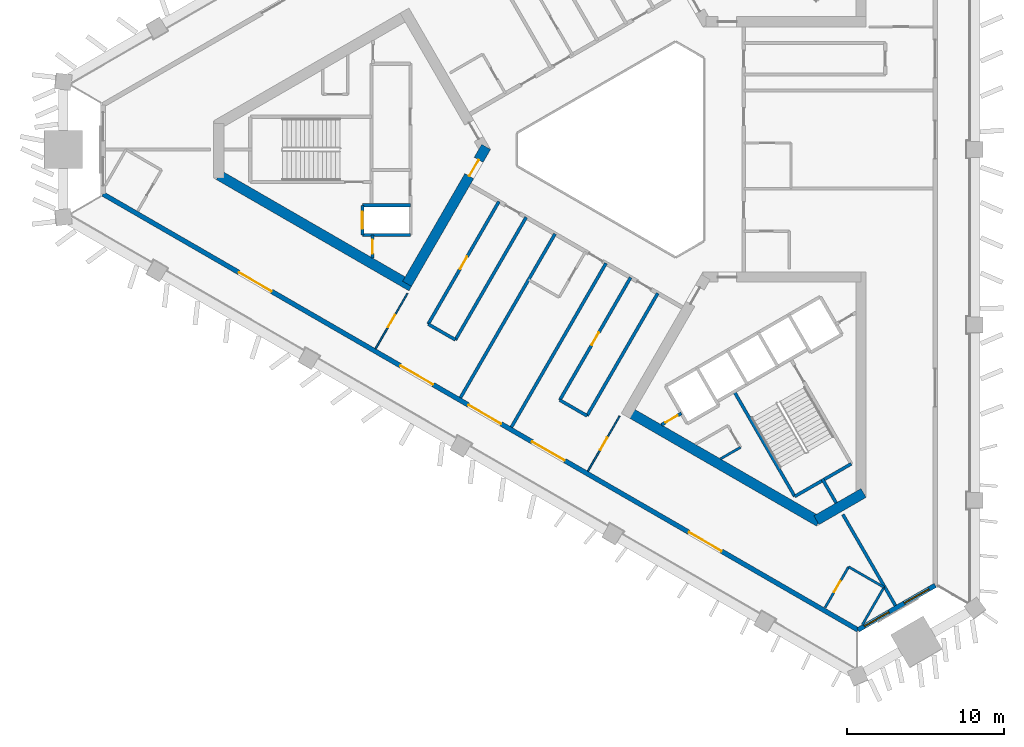
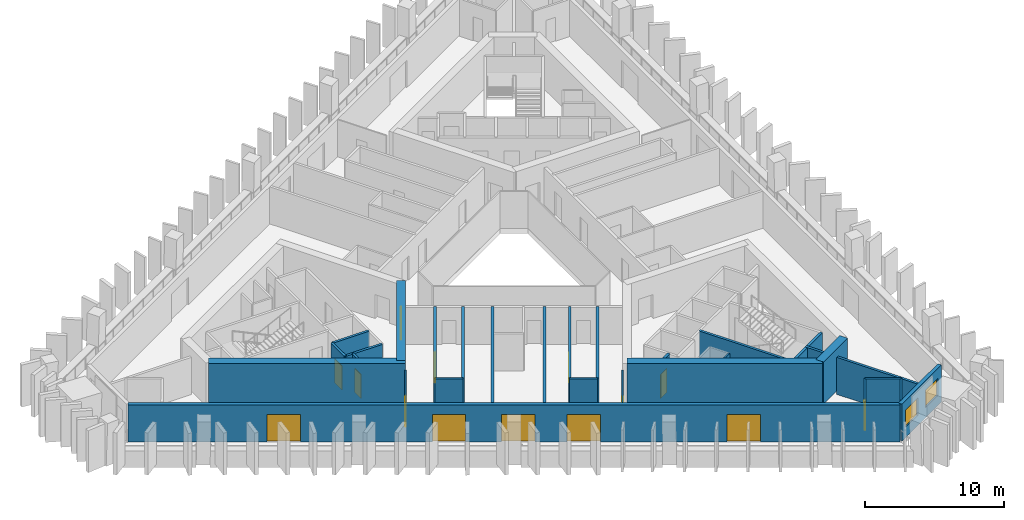
# One storey, part 2 of 10: 29 walls, 14 doors, 2 windows, 16 openings.
"""IFC4 building model written with IfcOpenShell, lengths in metres."""

from ifc_helpers import new_model, si_unit, direction, frame, frame_2d, origin, place, context, subcontext, project, spatial, rectangle, extrude, material, layer, layer_set, type_object, element, fill, save


model = new_model("IFC4")

# Units and contexts
model_context = context("Model", 3, precision=1e-05, world=origin(), true_north=direction((0.0, 1.0)))
body_context = subcontext(model_context, "Body", "Model", "MODEL_VIEW")
ifc_project = project(units=[si_unit("LENGTHUNIT", "METRE"), si_unit("AREAUNIT", "SQUARE_METRE"), si_unit("VOLUMEUNIT", "CUBIC_METRE"), si_unit("PLANEANGLEUNIT", "RADIAN"), si_unit("MASSUNIT", "GRAM", prefix="KILO")], contexts=[model_context])

# Site, building, storey
site_placement = place(None, origin())
site = spatial("IfcSite", under=ifc_project, at=site_placement, CompositionType="ELEMENT")
building_placement = place(site_placement, origin())
building = spatial("IfcBuilding", under=site, at=building_placement, Name="Jabali Bay Hotel Tower and Convention Centre", CompositionType="ELEMENT")
storey_placement = place(building_placement, frame((0.0, 0.0, 140.10009765625)))
storey = spatial("IfcBuildingStorey", under=building, at=storey_placement, Name="L34", CompositionType="ELEMENT", Elevation=140.10009765625)

# Wall, opening, door
ifc_material_1 = material(Name="Concrete C40", Category="concrete")
ifc_layer_1 = layer(ifc_material_1, 0.199951171875)
ifc_layer_set_1 = layer_set([ifc_layer_1], Name="Concrete C40")
wall_type_1 = type_object("IfcWallType", Name="Core partition wall 200", PredefinedType="PARTITIONING", material=ifc_layer_set_1)
wall_1_placement = place(storey_placement, frame((58.5, 74.550048828125, 0.0), z_axis=(0.0, 0.0, 1.0), x_axis=(0.0, -1.0, 0.0)))
wall_1 = element("IfcWall", 1, at=wall_1_placement, inside=storey, type_object=wall_type_1, Name="Core wall 0.10 L34", PredefinedType="PARTITIONING", context=body_context, shape_type="SweptSolid", body=[
    extrude(rectangle(XDim=1.455078125, YDim=0.199951171875, at=frame_2d((0.7275390625, 0.0))), origin(), (0.0, 0.0, 1.0), 3.25),
])
opening_1_placement = place(wall_1_placement, frame((0.277587890625, 0.0, 0.0)))
opening_1 = element("IfcOpeningElement", 2, at=opening_1_placement, cuts=wall_1, Name="Opening D746", PredefinedType="OPENING", context=body_context, shape_type="SweptSolid", body=[
    extrude(rectangle(XDim=0.89990234375, YDim=2.10009765625, at=frame_2d((0.449951171875, 1.050048828125))), frame((0.0, 0.1103515625, 0.0), z_axis=(0.0, -1.0, 0.0), x_axis=(1.0, 0.0, 0.0)), (0.0, 0.0, 1.0), 0.220947265625),
])
ifc_material_2 = material(Name="Fire-rated steel door", Category="steel")
door_type_1 = type_object("IfcDoorType", Name="Vestibule fire door 900 x 2100", OperationType="NOTDEFINED", PredefinedType="NOTDEFINED", material=ifc_material_2)
door_1_placement = place(opening_1_placement, origin())
door_1 = element("IfcDoor", 3, at=door_1_placement, inside=storey, type_object=door_type_1, Name="Vestibule fire door D746", OperationType="SINGLE_SWING_LEFT", OverallHeight=2.10009765625, OverallWidth=0.89990234375, PredefinedType="NOTDEFINED", context=body_context, shape_type="SweptSolid", body=[
    extrude(rectangle(XDim=0.89990234375, YDim=2.10009765625, at=frame_2d((0.449951171875, 1.050048828125))), frame((0.0, 0.02490234375, 0.0), z_axis=(0.0, -1.0, 0.0), x_axis=(1.0, 0.0, 0.0)), (0.0, 0.0, 1.0), 0.050048828125),
])
fill(opening_1, door_1)

# Wall
wall_2_placement = place(storey_placement, frame((87.090087890625, 59.0595703125, 0.0), z_axis=(0.0, 0.0, 1.0), x_axis=(0.499944938281, -0.866057191349, 0.0)))
element("IfcWall", 4, at=wall_2_placement, inside=storey, type_object=wall_type_1, Name="Core wall 2.5 L34", PredefinedType="PARTITIONING", context=body_context, shape_type="SweptSolid", body=[
    extrude(rectangle(XDim=1.773193359375, YDim=0.199951171875, at=frame_2d((0.88671875, 0.0))), origin(), (0.0, 0.0, 1.0), 3.25),
])

# Wall, opening, door
wall_3_placement = place(storey_placement, frame((76.869873046875, 62.489013671875, 0.0), z_axis=(0.0, 0.0, 1.0), x_axis=(0.866054810376, 0.49994906283, 0.0)))
wall_3 = element("IfcWall", 5, at=wall_3_placement, inside=storey, type_object=wall_type_1, Name="Core wall 2.11 L34", PredefinedType="PARTITIONING", context=body_context, shape_type="SweptSolid", body=[
    extrude(rectangle(XDim=1.461181640625, YDim=0.199951171875, at=frame_2d((0.73046875, 0.0))), origin(), (0.0, 0.0, 1.0), 3.25),
])
opening_2_placement = place(wall_3_placement, frame((0.280517578125, 0.0, 0.0)))
opening_2 = element("IfcOpeningElement", 6, at=opening_2_placement, cuts=wall_3, Name="Opening D759", PredefinedType="OPENING", context=body_context, shape_type="SweptSolid", body=[
    extrude(rectangle(XDim=0.89990234375, YDim=2.10009765625, at=frame_2d((0.449951171875, 1.050048828125))), frame((0.0, 0.1103515625, 0.0), z_axis=(0.0, -1.0, 0.0), x_axis=(1.0, 0.0, 0.0)), (0.0, 0.0, 1.0), 0.220947265625),
])
door_2_placement = place(opening_2_placement, origin())
door_2 = element("IfcDoor", 7, at=door_2_placement, inside=storey, type_object=door_type_1, Name="Vestibule fire door D759", OperationType="SINGLE_SWING_LEFT", OverallHeight=2.10009765625, OverallWidth=0.89990234375, PredefinedType="NOTDEFINED", context=body_context, shape_type="SweptSolid", body=[
    extrude(rectangle(XDim=0.89990234375, YDim=2.10009765625, at=frame_2d((0.449951171875, 1.050048828125))), frame((0.0, 0.02490234375, 0.0), z_axis=(0.0, -1.0, 0.0), x_axis=(1.0, 0.0, 0.0)), (0.0, 0.0, 1.0), 0.050048828125),
])
fill(opening_2, door_2)

# Walls
ifc_material_3 = material(Name="Fire-rated board partition")
ifc_layer_2 = layer(ifc_material_3, 0.14990234375)
ifc_layer_set_2 = layer_set([ifc_layer_2], Name="Fire-rated board partition")
wall_type_2 = type_object("IfcWallType", Name="Core room partition 150", PredefinedType="PARTITIONING", material=ifc_layer_set_2)
wall_4_placement = place(storey_placement, frame((80.619873046875, 60.323974609375, 0.0), z_axis=(0.0, 0.0, 1.0), x_axis=(0.866069507536, 0.49992360228, 0.0)))
element("IfcWall", 8, at=wall_4_placement, inside=storey, type_object=wall_type_2, Name="Core wall 2.17 L34", PredefinedType="PARTITIONING", context=body_context, shape_type="SweptSolid", body=[
    extrude(rectangle(XDim=1.470947265625, YDim=0.14990234375, at=frame_2d((0.7353515625, 0.0))), origin(), (0.0, 0.0, 1.0), 3.25),
])
ifc_layer_3 = layer(ifc_material_1, 0.199951171875)
ifc_layer_set_3 = layer_set([ifc_layer_3], Name="Concrete C40")
wall_type_3 = type_object("IfcWallType", Name="Core stair wall 200", PredefinedType="SOLIDWALL", material=ifc_layer_set_3)
for number, where, z_axis, x_axis, name in (
    (9, (60.89990234375, 76.449951171875, 0.0), (0.0, 0.0, 1.0), (-1.0, 0.0, 0.0), "Core wall 0.6 L34"),
    (10, (60.89990234375, 74.550048828125, 0.0), (0.0, 0.0, 1.0), (-1.0, 0.0, 0.0), "Core wall 0.7 L34"),
):
    element("IfcWall", number, at=place(storey_placement, frame(where, z_axis=z_axis, x_axis=x_axis)), inside=storey, type_object=wall_type_3, Name=name, PredefinedType="SOLIDWALL", context=body_context, shape_type="SweptSolid", body=[
        extrude(rectangle(XDim=3.0498046875, YDim=0.199951171875, at=frame_2d((1.52490234375, 0.0))), origin(), (0.0, 0.0, 1.0), 3.25),
    ])

# Wall, opening, door
wall_5_placement = place(storey_placement, frame((57.85009765625, 76.449951171875, 0.0), z_axis=(0.0, 0.0, 1.0), x_axis=(0.0, -1.0, 0.0)))
wall_5 = element("IfcWall", 11, at=wall_5_placement, inside=storey, type_object=wall_type_3, Name="Core wall 0.12 L34", PredefinedType="SOLIDWALL", context=body_context, shape_type="SweptSolid", body=[
    extrude(rectangle(XDim=1.89990234375, YDim=0.199951171875, at=frame_2d((0.949951171875, 0.0))), origin(), (0.0, 0.0, 1.0), 3.25),
])
opening_3_placement = place(wall_5_placement, frame((0.39990234375, 0.0, 0.0)))
opening_3 = element("IfcOpeningElement", 12, at=opening_3_placement, cuts=wall_5, Name="Opening LD5-L34", PredefinedType="OPENING", context=body_context, shape_type="SweptSolid", body=[
    extrude(rectangle(XDim=1.10009765625, YDim=2.10009765625, at=frame_2d((0.550048828125, 1.050048828125))), frame((0.0, 0.1103515625, 0.0), z_axis=(0.0, -1.0, 0.0), x_axis=(1.0, 0.0, 0.0)), (0.0, 0.0, 1.0), 0.220947265625),
])
ifc_material_4 = material(Name="Stainless steel landing door", Category="steel")
door_type_2 = type_object("IfcDoorType", Name="Landing door 1100 x 2100", OperationType="NOTDEFINED", PredefinedType="NOTDEFINED", material=ifc_material_4)
door_3_placement = place(opening_3_placement, origin())
door_3 = element("IfcDoor", 13, at=door_3_placement, inside=storey, type_object=door_type_2, Name="Landing doors LD5-L34", OperationType="SLIDING_TO_RIGHT", OverallHeight=2.10009765625, OverallWidth=1.10009765625, PredefinedType="NOTDEFINED", context=body_context, shape_type="SweptSolid", body=[
    extrude(rectangle(XDim=1.10009765625, YDim=2.10009765625, at=frame_2d((0.550048828125, 1.050048828125))), frame((0.0, 0.02490234375, 0.0), z_axis=(0.0, -1.0, 0.0), x_axis=(1.0, 0.0, 0.0)), (0.0, 0.0, 1.0), 0.050048828125),
])
fill(opening_3, door_3)

# Walls
wall_6_placement = place(storey_placement, frame((81.492919921875, 64.603759765625, 0.0), z_axis=(0.0, 0.0, 1.0), x_axis=(0.500006057782, -0.866021906294, 0.0)))
element("IfcWall", 14, at=wall_6_placement, inside=storey, type_object=wall_type_3, Name="Core wall 2.3 L34", PredefinedType="SOLIDWALL", context=body_context, shape_type="SweptSolid", body=[
    extrude(rectangle(XDim=7.7001953125, YDim=0.199951171875, at=frame_2d((3.85009765625, 0.0))), origin(), (0.0, 0.0, 1.0), 3.25),
])
wall_7_placement = place(storey_placement, frame((85.343017578125, 57.935302734375, 0.0), z_axis=(0.0, 0.0, 1.0), x_axis=(0.866004344652, 0.500036473714, 0.0)))
element("IfcWall", 15, at=wall_7_placement, inside=storey, type_object=wall_type_3, Name="Core wall 2.18 L34", PredefinedType="SOLIDWALL", context=body_context, shape_type="SweptSolid", body=[
    extrude(rectangle(XDim=4.150146484375, YDim=0.199951171875, at=frame_2d((2.0751953125, 0.0))), origin(), (0.0, 0.0, 1.0), 3.25),
])
ifc_material_5 = material(Name="Concrete C60", Category="concrete")
ifc_layer_4 = layer(ifc_material_5, 0.64990234375)
ifc_layer_set_4 = layer_set([ifc_layer_4], Name="Concrete C60")
wall_type_4 = type_object("IfcWallType", Name="Core wall 650", PredefinedType="SHEAR", material=ifc_layer_set_4)
wall_8_placement = place(storey_placement, frame((48.721923828125, 78.364990234375, 0.0), z_axis=(0.0, 0.0, 1.0), x_axis=(0.866020036431, -0.500009296414, 0.0)))
element("IfcWall", 16, at=wall_8_placement, inside=storey, type_object=wall_type_4, Name="Core wall 1.4 L34", PredefinedType="SHEAR", context=body_context, shape_type="SweptSolid", body=[
    extrude(rectangle(XDim=14.145751953125, YDim=0.64990234375, at=frame_2d((7.07275390625, 0.0))), origin(), (0.0, 0.0, 1.0), 3.699951171875),
])

# Wall, opening, door
wall_9_placement = place(storey_placement, frame((60.691162109375, 71.45458984375, 0.0), z_axis=(0.0, 0.0, 1.0), x_axis=(0.499983075189, 0.866035175108, 0.0)))
wall_9 = element("IfcWall", 17, at=wall_9_placement, inside=storey, type_object=wall_type_4, Name="Core wall 1.5 L34", PredefinedType="SHEAR", context=body_context, shape_type="SweptSolid", body=[
    extrude(rectangle(XDim=10.054931640625, YDim=0.64990234375, at=frame_2d((5.02734375, 0.0))), origin(), (0.0, 0.0, 1.0), 3.699951171875),
])
opening_4_placement = place(wall_9_placement, frame((7.905029296875, 0.0, 0.0)))
opening_4 = element("IfcOpeningElement", 18, at=opening_4_placement, cuts=wall_9, Name="Opening D743", PredefinedType="OPENING", context=body_context, shape_type="SweptSolid", body=[
    extrude(rectangle(XDim=1.199951171875, YDim=2.10009765625, at=frame_2d((0.60009765625, 1.050048828125))), frame((0.0, 0.33544921875, 0.0), z_axis=(0.0, -1.0, 0.0), x_axis=(1.0, 0.0, 0.0)), (0.0, 0.0, 1.0), 0.6708984375),
])
door_type_3 = type_object("IfcDoorType", Name="Corridor end fire door 1200 x 2100", OperationType="NOTDEFINED", PredefinedType="NOTDEFINED", material=ifc_material_2)
door_4_placement = place(opening_4_placement, origin())
door_4 = element("IfcDoor", 19, at=door_4_placement, inside=storey, type_object=door_type_3, Name="Corridor end fire door D743", OperationType="SINGLE_SWING_LEFT", OverallHeight=2.10009765625, OverallWidth=1.199951171875, PredefinedType="NOTDEFINED", context=body_context, shape_type="SweptSolid", body=[
    extrude(rectangle(XDim=1.199951171875, YDim=2.10009765625, at=frame_2d((0.60009765625, 1.050048828125))), frame((0.0, 0.02490234375, 0.0), z_axis=(0.0, -1.0, 0.0), x_axis=(1.0, 0.0, 0.0)), (0.0, 0.0, 1.0), 0.050048828125),
])
fill(opening_4, door_4)

# Walls
wall_10_placement = place(storey_placement, frame((74.75390625, 63.33544921875, 0.0), z_axis=(0.0, 0.0, 1.0), x_axis=(0.866026250715, -0.49999853307, 0.0)))
element("IfcWall", 20, at=wall_10_placement, inside=storey, type_object=wall_type_4, Name="Core wall 3.2 L34", PredefinedType="SHEAR", context=body_context, shape_type="SweptSolid", body=[
    extrude(rectangle(XDim=14.00830078125, YDim=0.64990234375, at=frame_2d((7.004150390625, 0.0))), origin(), (0.0, 0.0, 1.0), 3.699951171875),
])
wall_11_placement = place(storey_placement, frame((86.72314453125, 56.425048828125, 0.0), z_axis=(0.0, 0.0, 1.0), x_axis=(0.866031550877, 0.499989352773, 0.0)))
element("IfcWall", 21, at=wall_11_placement, inside=storey, type_object=wall_type_4, Name="Core wall 3.3 L34", PredefinedType="SHEAR", context=body_context, shape_type="SweptSolid", body=[
    extrude(rectangle(XDim=3.45751953125, YDim=0.64990234375, at=frame_2d((1.728759765625, 0.0))), origin(), (0.0, 0.0, 1.0), 3.699951171875),
])

# Wall, openings, windows
ifc_layer_5 = layer(ifc_material_1, 0.300048828125)
ifc_layer_set_5 = layer_set([ifc_layer_5], Name="Concrete C40")
wall_type_5 = type_object("IfcWallType", Name="External wall 300", PredefinedType="SOLIDWALL", material=ifc_layer_set_5)
wall_12_placement = place(storey_placement, frame((94.277099609375, 52.28271484375, 0.0), z_axis=(0.0, 0.0, 1.0), x_axis=(-0.866019999656, -0.500009360108, 0.0)))
wall_12 = element("IfcWall", 22, at=wall_12_placement, inside=storey, type_object=wall_type_5, Name="External wall south-east chamfer L34", PredefinedType="SOLIDWALL", context=body_context, shape_type="SweptSolid", body=[
    extrude(rectangle(XDim=5.671875, YDim=0.300048828125, at=frame_2d((2.8359375, 0.0))), origin(), (0.0, 0.0, 1.0), 3.25),
])
opening_5_placement = place(wall_12_placement, frame((3.3955078125, 0.0, 0.89990234375)))
opening_5 = element("IfcOpeningElement", 23, at=opening_5_placement, cuts=wall_12, Name="Opening W1", PredefinedType="OPENING", context=body_context, shape_type="SweptSolid", body=[
    extrude(rectangle(XDim=1.800048828125, YDim=1.5, at=frame_2d((0.89990234375, 0.75))), frame((0.0, 0.16064453125, 0.0), z_axis=(0.0, -1.0, 0.0), x_axis=(1.0, 0.0, 0.0)), (0.0, 0.0, 1.0), 0.321044921875),
])
opening_6_placement = place(wall_12_placement, frame((0.47509765625, 0.0, 0.89990234375)))
opening_6 = element("IfcOpeningElement", 24, at=opening_6_placement, cuts=wall_12, Name="Opening W1", PredefinedType="OPENING", context=body_context, shape_type="SweptSolid", body=[
    extrude(rectangle(XDim=1.800048828125, YDim=1.5, at=frame_2d((0.89990234375, 0.75))), frame((0.0, 0.16064453125, 0.0), z_axis=(0.0, -1.0, 0.0), x_axis=(1.0, 0.0, 0.0)), (0.0, 0.0, 1.0), 0.321044921875),
])
ifc_material_6 = material(Name="Glass", Category="glass")
window_type = type_object("IfcWindowType", Name="Window 1800 x 1500", PartitioningType="SINGLE_PANEL", PredefinedType="WINDOW", material=ifc_material_6)
window_1_placement = place(opening_5_placement, origin())
window_1 = element("IfcWindow", 25, at=window_1_placement, inside=storey, type_object=window_type, Name="Window 3412", OverallHeight=1.5, OverallWidth=1.800048828125, PartitioningType="SINGLE_PANEL", PredefinedType="WINDOW", context=body_context, shape_type="SweptSolid", body=[
    extrude(rectangle(XDim=1.800048828125, YDim=1.5, at=frame_2d((0.89990234375, 0.75))), frame((0.0, 0.030029296875, 0.0), z_axis=(0.0, -1.0, 0.0), x_axis=(1.0, 0.0, 0.0)), (0.0, 0.0, 1.0), 0.06005859375),
])
fill(opening_5, window_1)
window_2_placement = place(opening_6_placement, origin())
window_2 = element("IfcWindow", 26, at=window_2_placement, inside=storey, type_object=window_type, Name="Window 3401", OverallHeight=1.5, OverallWidth=1.800048828125, PartitioningType="SINGLE_PANEL", PredefinedType="WINDOW", context=body_context, shape_type="SweptSolid", body=[
    extrude(rectangle(XDim=1.800048828125, YDim=1.5, at=frame_2d((0.89990234375, 0.75))), frame((0.0, 0.030029296875, 0.0), z_axis=(0.0, -1.0, 0.0), x_axis=(1.0, 0.0, 0.0)), (0.0, 0.0, 1.0), 0.06005859375),
])
fill(opening_6, window_2)

# Wall, openings, doors
wall_13_placement = place(storey_placement, frame((89.365234375, 49.44677734375, 0.0), z_axis=(0.0, 0.0, 1.0), x_axis=(-0.866024602029, 0.500001388679, 0.0)))
wall_13 = element("IfcWall", 27, at=wall_13_placement, inside=storey, type_object=wall_type_5, Name="External wall south-west face L34", PredefinedType="SOLIDWALL", context=body_context, shape_type="SweptSolid", body=[
    extrude(rectangle(XDim=55.434326171875, YDim=0.300048828125, at=frame_2d((27.71728515625, 0.0))), origin(), (0.0, 0.0, 1.0), 3.25),
])
opening_7_placement = place(wall_13_placement, frame((31.19384765625, 0.0, 0.0)))
opening_7 = element("IfcOpeningElement", 28, at=opening_7_placement, cuts=wall_13, Name="Opening SD1", PredefinedType="OPENING", context=body_context, shape_type="SweptSolid", body=[
    extrude(rectangle(XDim=2.39990234375, YDim=2.39990234375, at=frame_2d((1.199951171875, 1.199951171875))), frame((0.0, 0.16064453125, 0.0), z_axis=(0.0, -1.0, 0.0), x_axis=(1.0, 0.0, 0.0)), (0.0, 0.0, 1.0), 0.321044921875),
])
opening_8_placement = place(wall_13_placement, frame((43.055908203125, 0.0, 0.0)))
opening_8 = element("IfcOpeningElement", 29, at=opening_8_placement, cuts=wall_13, Name="Opening SD1", PredefinedType="OPENING", context=body_context, shape_type="SweptSolid", body=[
    extrude(rectangle(XDim=2.39990234375, YDim=2.39990234375, at=frame_2d((1.199951171875, 1.199951171875))), frame((0.0, 0.16064453125, 0.0), z_axis=(0.0, -1.0, 0.0), x_axis=(1.0, 0.0, 0.0)), (0.0, 0.0, 1.0), 0.321044921875),
])
opening_9_placement = place(wall_13_placement, frame((21.52880859375, 0.0, 0.0)))
opening_9 = element("IfcOpeningElement", 30, at=opening_9_placement, cuts=wall_13, Name="Opening SD1", PredefinedType="OPENING", context=body_context, shape_type="SweptSolid", body=[
    extrude(rectangle(XDim=2.39990234375, YDim=2.39990234375, at=frame_2d((1.199951171875, 1.199951171875))), frame((0.0, 0.16064453125, 0.0), z_axis=(0.0, -1.0, 0.0), x_axis=(1.0, 0.0, 0.0)), (0.0, 0.0, 1.0), 0.321044921875),
])
opening_10_placement = place(wall_13_placement, frame((10.013916015625, 0.0, 0.0)))
opening_10 = element("IfcOpeningElement", 31, at=opening_10_placement, cuts=wall_13, Name="Opening SD1", PredefinedType="OPENING", context=body_context, shape_type="SweptSolid", body=[
    extrude(rectangle(XDim=2.39990234375, YDim=2.39990234375, at=frame_2d((1.199951171875, 1.199951171875))), frame((0.0, 0.16064453125, 0.0), z_axis=(0.0, -1.0, 0.0), x_axis=(1.0, 0.0, 0.0)), (0.0, 0.0, 1.0), 0.321044921875),
])
opening_11_placement = place(wall_13_placement, frame((26.205322265625, 0.0, 0.0)))
opening_11 = element("IfcOpeningElement", 32, at=opening_11_placement, cuts=wall_13, Name="Opening SD1", PredefinedType="OPENING", context=body_context, shape_type="SweptSolid", body=[
    extrude(rectangle(XDim=2.39990234375, YDim=2.39990234375, at=frame_2d((1.199951171875, 1.199951171875))), frame((0.0, 0.16064453125, 0.0), z_axis=(0.0, -1.0, 0.0), x_axis=(1.0, 0.0, 0.0)), (0.0, 0.0, 1.0), 0.321044921875),
])
door_type_4 = type_object("IfcDoorType", Name="Loggia sliding door 2400 x 2400", OperationType="NOTDEFINED", PredefinedType="NOTDEFINED", material=ifc_material_6)
door_5_placement = place(opening_7_placement, origin())
door_5 = element("IfcDoor", 33, at=door_5_placement, inside=storey, type_object=door_type_4, Name="Loggia sliding door 3409", OperationType="SLIDING_TO_LEFT", OverallHeight=2.39990234375, OverallWidth=2.39990234375, PredefinedType="NOTDEFINED", context=body_context, shape_type="SweptSolid", body=[
    extrude(rectangle(XDim=2.39990234375, YDim=2.39990234375, at=frame_2d((1.199951171875, 1.199951171875))), frame((0.0, 0.02490234375, 0.0), z_axis=(0.0, -1.0, 0.0), x_axis=(1.0, 0.0, 0.0)), (0.0, 0.0, 1.0), 0.050048828125),
])
fill(opening_7, door_5)
door_6_placement = place(opening_8_placement, origin())
door_6 = element("IfcDoor", 34, at=door_6_placement, inside=storey, type_object=door_type_4, Name="Loggia sliding door 3409", OperationType="SLIDING_TO_RIGHT", OverallHeight=2.39990234375, OverallWidth=2.39990234375, PredefinedType="NOTDEFINED", context=body_context, shape_type="SweptSolid", body=[
    extrude(rectangle(XDim=2.39990234375, YDim=2.39990234375, at=frame_2d((1.199951171875, 1.199951171875))), frame((0.0, 0.02490234375, 0.0), z_axis=(0.0, -1.0, 0.0), x_axis=(1.0, 0.0, 0.0)), (0.0, 0.0, 1.0), 0.050048828125),
])
fill(opening_8, door_6)
door_7_placement = place(opening_9_placement, origin())
door_7 = element("IfcDoor", 35, at=door_7_placement, inside=storey, type_object=door_type_4, Name="Loggia sliding door 3412", OperationType="SLIDING_TO_LEFT", OverallHeight=2.39990234375, OverallWidth=2.39990234375, PredefinedType="NOTDEFINED", context=body_context, shape_type="SweptSolid", body=[
    extrude(rectangle(XDim=2.39990234375, YDim=2.39990234375, at=frame_2d((1.199951171875, 1.199951171875))), frame((0.0, 0.02490234375, 0.0), z_axis=(0.0, -1.0, 0.0), x_axis=(1.0, 0.0, 0.0)), (0.0, 0.0, 1.0), 0.050048828125),
])
fill(opening_9, door_7)
door_8_placement = place(opening_10_placement, origin())
door_8 = element("IfcDoor", 36, at=door_8_placement, inside=storey, type_object=door_type_4, Name="Loggia sliding door 3412", OperationType="SLIDING_TO_RIGHT", OverallHeight=2.39990234375, OverallWidth=2.39990234375, PredefinedType="NOTDEFINED", context=body_context, shape_type="SweptSolid", body=[
    extrude(rectangle(XDim=2.39990234375, YDim=2.39990234375, at=frame_2d((1.199951171875, 1.199951171875))), frame((0.0, 0.02490234375, 0.0), z_axis=(0.0, -1.0, 0.0), x_axis=(1.0, 0.0, 0.0)), (0.0, 0.0, 1.0), 0.050048828125),
])
fill(opening_10, door_8)
door_9_placement = place(opening_11_placement, origin())
door_9 = element("IfcDoor", 37, at=door_9_placement, inside=storey, type_object=door_type_4, Name="Loggia sliding door 3411", OperationType="SLIDING_TO_LEFT", OverallHeight=2.39990234375, OverallWidth=2.39990234375, PredefinedType="NOTDEFINED", context=body_context, shape_type="SweptSolid", body=[
    extrude(rectangle(XDim=2.39990234375, YDim=2.39990234375, at=frame_2d((1.199951171875, 1.199951171875))), frame((0.0, 0.02490234375, 0.0), z_axis=(0.0, -1.0, 0.0), x_axis=(1.0, 0.0, 0.0)), (0.0, 0.0, 1.0), 0.050048828125),
])
fill(opening_11, door_9)

# Wall, opening, door
ifc_material_7 = material(Name="Plasterboard on steel stud", Category="steel")
ifc_layer_6 = layer(ifc_material_7, 0.10009765625)
ifc_layer_set_6 = layer_set([ifc_layer_6], Name="Plasterboard on steel stud")
wall_type_6 = type_object("IfcWallType", Name="Partition 100 unit", PredefinedType="PARTITIONING", material=ifc_layer_set_6)
wall_14_placement = place(storey_placement, frame((60.71044921875, 70.83837890625, 0.0), z_axis=(0.0, 0.0, 1.0), x_axis=(-0.499997320042, -0.866026951053, 0.0)))
wall_14 = element("IfcWall", 38, at=wall_14_placement, inside=storey, type_object=wall_type_6, Name="Partition P02 L34 031", PredefinedType="PARTITIONING", context=body_context, shape_type="SweptSolid", body=[
    extrude(rectangle(XDim=4.04931640625, YDim=0.10009765625, at=frame_2d((2.024658203125, 0.0))), origin(), (0.0, 0.0, 1.0), 3.25),
])
opening_12_placement = place(wall_14_placement, frame((1.574951171875, 0.0, 0.0)))
opening_12 = element("IfcOpeningElement", 39, at=opening_12_placement, cuts=wall_14, Name="Opening 3418", PredefinedType="OPENING", context=body_context, shape_type="SweptSolid", body=[
    extrude(rectangle(XDim=0.89990234375, YDim=2.10009765625, at=frame_2d((0.449951171875, 1.050048828125))), frame((0.0, 0.060546875, 0.0), z_axis=(0.0, -1.0, 0.0), x_axis=(1.0, 0.0, 0.0)), (0.0, 0.0, 1.0), 0.12109375),
])
ifc_material_8 = material(Name="Timber", Category="wood")
door_type_5 = type_object("IfcDoorType", Name="Internal door 900 x 2100", OperationType="NOTDEFINED", PredefinedType="NOTDEFINED", material=ifc_material_8)
door_10_placement = place(opening_12_placement, origin())
door_10 = element("IfcDoor", 40, at=door_10_placement, inside=storey, type_object=door_type_5, Name="Door 3418", OperationType="SINGLE_SWING_RIGHT", OverallHeight=2.10009765625, OverallWidth=0.89990234375, PredefinedType="NOTDEFINED", context=body_context, shape_type="SweptSolid", body=[
    extrude(rectangle(XDim=0.89990234375, YDim=2.10009765625, at=frame_2d((0.449951171875, 1.050048828125))), frame((0.0, 0.02490234375, 0.0), z_axis=(0.0, -1.0, 0.0), x_axis=(1.0, 0.0, 0.0)), (0.0, 0.0, 1.0), 0.050048828125),
])
fill(opening_12, door_10)

wall_15_placement = place(storey_placement, frame((72.185791015625, 59.537353515625, 0.0), z_axis=(0.0, 0.0, 1.0), x_axis=(0.499997320042, 0.866026951053, 0.0)))
wall_15 = element("IfcWall", 41, at=wall_15_placement, inside=storey, type_object=wall_type_6, Name="Partition P02 L34 042", PredefinedType="PARTITIONING", context=body_context, shape_type="SweptSolid", body=[
    extrude(rectangle(XDim=4.04931640625, YDim=0.10009765625, at=frame_2d((2.024658203125, 0.0))), origin(), (0.0, 0.0, 1.0), 3.25),
])
opening_13_placement = place(wall_15_placement, frame((1.574951171875, 0.0, 0.0)))
opening_13 = element("IfcOpeningElement", 42, at=opening_13_placement, cuts=wall_15, Name="Opening 3424", PredefinedType="OPENING", context=body_context, shape_type="SweptSolid", body=[
    extrude(rectangle(XDim=0.89990234375, YDim=2.10009765625, at=frame_2d((0.449951171875, 1.050048828125))), frame((0.0, 0.060546875, 0.0), z_axis=(0.0, -1.0, 0.0), x_axis=(1.0, 0.0, 0.0)), (0.0, 0.0, 1.0), 0.12109375),
])
door_11_placement = place(opening_13_placement, origin())
door_11 = element("IfcDoor", 43, at=door_11_placement, inside=storey, type_object=door_type_5, Name="Door 3424", OperationType="SINGLE_SWING_RIGHT", OverallHeight=2.10009765625, OverallWidth=0.89990234375, PredefinedType="NOTDEFINED", context=body_context, shape_type="SweptSolid", body=[
    extrude(rectangle(XDim=0.89990234375, YDim=2.10009765625, at=frame_2d((0.449951171875, 1.050048828125))), frame((0.0, 0.02490234375, 0.0), z_axis=(0.0, -1.0, 0.0), x_axis=(1.0, 0.0, 0.0)), (0.0, 0.0, 1.0), 0.050048828125),
])
fill(opening_13, door_11)

ifc_layer_7 = layer(ifc_material_7, 0.14990234375)
ifc_layer_set_7 = layer_set([ifc_layer_7], Name="Plasterboard on steel stud")
wall_type_7 = type_object("IfcWallType", Name="Partition 150 wet", PredefinedType="PARTITIONING", material=ifc_layer_set_7)
wall_16_placement = place(storey_placement, frame((87.275146484375, 50.872802734375, 0.0), z_axis=(0.0, 0.0, 1.0), x_axis=(0.500017373705, 0.866015372839, 0.0)))
wall_16 = element("IfcWall", 44, at=wall_16_placement, inside=storey, type_object=wall_type_7, Name="Partition P03 L34 046", PredefinedType="PARTITIONING", context=body_context, shape_type="SweptSolid", body=[
    extrude(rectangle(XDim=2.98583984375, YDim=0.14990234375, at=frame_2d((1.492919921875, 0.0))), origin(), (0.0, 0.0, 1.0), 3.25),
])
opening_14_placement = place(wall_16_placement, frame((1.1357421875, 0.0, 0.0)))
opening_14 = element("IfcOpeningElement", 45, at=opening_14_placement, cuts=wall_16, Name="Opening 3425", PredefinedType="OPENING", context=body_context, shape_type="SweptSolid", body=[
    extrude(rectangle(XDim=0.800048828125, YDim=2.10009765625, at=frame_2d((0.39990234375, 1.050048828125))), frame((0.0, 0.08544921875, 0.0), z_axis=(0.0, -1.0, 0.0), x_axis=(1.0, 0.0, 0.0)), (0.0, 0.0, 1.0), 0.1708984375),
])
door_type_6 = type_object("IfcDoorType", Name="En-suite door 800 x 2100", OperationType="NOTDEFINED", PredefinedType="NOTDEFINED", material=ifc_material_8)
door_12_placement = place(opening_14_placement, origin())
door_12 = element("IfcDoor", 46, at=door_12_placement, inside=storey, type_object=door_type_6, Name="Door 3425", OperationType="SINGLE_SWING_LEFT", OverallHeight=2.10009765625, OverallWidth=0.800048828125, PredefinedType="NOTDEFINED", context=body_context, shape_type="SweptSolid", body=[
    extrude(rectangle(XDim=0.800048828125, YDim=2.10009765625, at=frame_2d((0.39990234375, 1.050048828125))), frame((0.0, 0.02490234375, 0.0), z_axis=(0.0, -1.0, 0.0), x_axis=(1.0, 0.0, 0.0)), (0.0, 0.0, 1.0), 0.050048828125),
])
fill(opening_14, door_12)

# Walls
wall_17_placement = place(storey_placement, frame((88.76806640625, 53.45849609375, 0.0), z_axis=(0.0, 0.0, 1.0), x_axis=(0.866021400173, -0.500006934395, 0.0)))
element("IfcWall", 47, at=wall_17_placement, inside=storey, type_object=wall_type_7, Name="Partition P03 L34 047", PredefinedType="PARTITIONING", context=body_context, shape_type="SweptSolid", body=[
    extrude(rectangle(XDim=2.60009765625, YDim=0.14990234375, at=frame_2d((1.300048828125, 0.0))), origin(), (0.0, 0.0, 1.0), 3.25),
])
wall_18_placement = place(storey_placement, frame((91.019775390625, 52.158447265625, 0.0), z_axis=(0.0, 0.0, 1.0), x_axis=(-0.500004836318, -0.866022611517, 0.0)))
element("IfcWall", 48, at=wall_18_placement, inside=storey, type_object=wall_type_7, Name="Partition P03 L34 048", PredefinedType="PARTITIONING", context=body_context, shape_type="SweptSolid", body=[
    extrude(rectangle(XDim=2.744140625, YDim=0.14990234375, at=frame_2d((1.3720703125, 0.0))), origin(), (0.0, 0.0, 1.0), 3.25),
])
ifc_layer_8 = layer(ifc_material_7, 0.199951171875)
ifc_layer_set_8 = layer_set([ifc_layer_8], Name="Plasterboard on steel stud")
wall_type_8 = type_object("IfcWallType", Name="Partition 200 party", PredefinedType="PARTITIONING", material=ifc_layer_set_8)
wall_19_placement = place(storey_placement, frame((88.401123046875, 56.788818359375, 0.0), z_axis=(0.0, 0.0, 1.0), x_axis=(0.499973018359, -0.866040981082, 0.0)))
element("IfcWall", 49, at=wall_19_placement, inside=storey, type_object=wall_type_8, Name="Partition P01 L34 005", PredefinedType="PARTITIONING", context=body_context, shape_type="SweptSolid", body=[
    extrude(rectangle(XDim=6.691162109375, YDim=0.199951171875, at=frame_2d((3.345703125, 0.0))), origin(), (0.0, 0.0, 1.0), 3.25),
])
wall_20_placement = place(storey_placement, frame((68.26611328125, 75.689453125, 0.0), z_axis=(0.0, 0.0, 1.0), x_axis=(-0.5000018851, -0.866024315419, 0.0)))
element("IfcWall", 50, at=wall_20_placement, inside=storey, type_object=wall_type_8, Name="Partition P01 L34 032", PredefinedType="PARTITIONING", context=body_context, shape_type="SweptSolid", body=[
    extrude(rectangle(XDim=9.0, YDim=0.199951171875, at=frame_2d((4.5, 0.0))), origin(), (0.0, 0.0, 1.0), 3.25),
])
wall_21_placement = place(storey_placement, frame((63.76611328125, 67.895263671875, 0.0), z_axis=(0.0, 0.0, 1.0), x_axis=(-0.866041268327, 0.499972520799, 0.0)))
element("IfcWall", 51, at=wall_21_placement, inside=storey, type_object=wall_type_8, Name="Partition P01 L34 033", PredefinedType="PARTITIONING", context=body_context, shape_type="SweptSolid", body=[
    extrude(rectangle(XDim=2.0, YDim=0.199951171875, at=frame_2d((1.0, 0.0))), origin(), (0.0, 0.0, 1.0), 3.25),
])

# Wall, opening, door
wall_22_placement = place(storey_placement, frame((62.033935546875, 68.895263671875, 0.0), z_axis=(0.0, 0.0, 1.0), x_axis=(0.5000018851, 0.866024315419, 0.0)))
wall_22 = element("IfcWall", 52, at=wall_22_placement, inside=storey, type_object=wall_type_8, Name="Partition P01 L34 034", PredefinedType="PARTITIONING", context=body_context, shape_type="SweptSolid", body=[
    extrude(rectangle(XDim=9.0, YDim=0.199951171875, at=frame_2d((4.5, 0.0))), origin(), (0.0, 0.0, 1.0), 3.25),
])
opening_15_placement = place(wall_22_placement, frame((4.050048828125, 0.0, 0.0)))
opening_15 = element("IfcOpeningElement", 53, at=opening_15_placement, cuts=wall_22, Name="Opening 3420", PredefinedType="OPENING", context=body_context, shape_type="SweptSolid", body=[
    extrude(rectangle(XDim=0.89990234375, YDim=2.10009765625, at=frame_2d((0.449951171875, 1.050048828125))), frame((0.0, 0.1103515625, 0.0), z_axis=(0.0, -1.0, 0.0), x_axis=(1.0, 0.0, 0.0)), (0.0, 0.0, 1.0), 0.220947265625),
])
door_13_placement = place(opening_15_placement, origin())
door_13 = element("IfcDoor", 54, at=door_13_placement, inside=storey, type_object=door_type_5, Name="Door 3420", OperationType="SINGLE_SWING_LEFT", OverallHeight=2.10009765625, OverallWidth=0.89990234375, PredefinedType="NOTDEFINED", context=body_context, shape_type="SweptSolid", body=[
    extrude(rectangle(XDim=0.89990234375, YDim=2.10009765625, at=frame_2d((0.449951171875, 1.050048828125))), frame((0.0, 0.02490234375, 0.0), z_axis=(0.0, -1.0, 0.0), x_axis=(1.0, 0.0, 0.0)), (0.0, 0.0, 1.0), 0.050048828125),
])
fill(opening_15, door_13)

# Walls
for number, where, z_axis, x_axis, name in (
    (55, (64.0859375, 64.2138671875, 0.0), (0.0, 0.0, 1.0), (0.500002984678, 0.866023680573, 0.0), "Partition P01 L34 035"),
    (56, (67.325927734375, 62.34326171875, 0.0), (0.0, 0.0, 1.0), (0.500002984678, 0.866023680573, 0.0), "Partition P01 L34 041"),
):
    element("IfcWall", number, at=place(storey_placement, frame(where, z_axis=z_axis, x_axis=x_axis)), inside=storey, type_object=wall_type_8, Name=name, PredefinedType="PARTITIONING", context=body_context, shape_type="SweptSolid", body=[
        extrude(rectangle(XDim=12.0283203125, YDim=0.199951171875, at=frame_2d((6.01416015625, 0.0))), origin(), (0.0, 0.0, 1.0), 3.25),
    ])
wall_23_placement = place(storey_placement, frame((76.635986328125, 70.857177734375, 0.0), z_axis=(0.0, 0.0, 1.0), x_axis=(-0.499990139034, -0.866031096941, 0.0)))
element("IfcWall", 57, at=wall_23_placement, inside=storey, type_object=wall_type_8, Name="Partition P01 L34 043", PredefinedType="PARTITIONING", context=body_context, shape_type="SweptSolid", body=[
    extrude(rectangle(XDim=9.000244140625, YDim=0.199951171875, at=frame_2d((4.5, 0.0))), origin(), (0.0, 0.0, 1.0), 3.25),
])
wall_24_placement = place(storey_placement, frame((72.135986328125, 63.062744140625, 0.0), z_axis=(0.0, 0.0, 1.0), x_axis=(-0.866010750942, 0.50002537861, 0.0)))
element("IfcWall", 58, at=wall_24_placement, inside=storey, type_object=wall_type_8, Name="Partition P01 L34 044", PredefinedType="PARTITIONING", context=body_context, shape_type="SweptSolid", body=[
    extrude(rectangle(XDim=2.0, YDim=0.199951171875, at=frame_2d((1.0, 0.0))), origin(), (0.0, 0.0, 1.0), 3.25),
])

# Wall, opening, door
wall_25_placement = place(storey_placement, frame((70.404052734375, 64.062744140625, 0.0), z_axis=(0.0, 0.0, 1.0), x_axis=(0.499990139034, 0.866031096941, 0.0)))
wall_25 = element("IfcWall", 59, at=wall_25_placement, inside=storey, type_object=wall_type_8, Name="Partition P01 L34 045", PredefinedType="PARTITIONING", context=body_context, shape_type="SweptSolid", body=[
    extrude(rectangle(XDim=9.000244140625, YDim=0.199951171875, at=frame_2d((4.5, 0.0))), origin(), (0.0, 0.0, 1.0), 3.25),
])
opening_16_placement = place(wall_25_placement, frame((4.050048828125, 0.0, 0.0)))
opening_16 = element("IfcOpeningElement", 60, at=opening_16_placement, cuts=wall_25, Name="Opening 3426", PredefinedType="OPENING", context=body_context, shape_type="SweptSolid", body=[
    extrude(rectangle(XDim=0.89990234375, YDim=2.10009765625, at=frame_2d((0.449951171875, 1.050048828125))), frame((0.0, 0.1103515625, 0.0), z_axis=(0.0, -1.0, 0.0), x_axis=(1.0, 0.0, 0.0)), (0.0, 0.0, 1.0), 0.220947265625),
])
door_14_placement = place(opening_16_placement, origin())
door_14 = element("IfcDoor", 61, at=door_14_placement, inside=storey, type_object=door_type_5, Name="Door 3426", OperationType="SINGLE_SWING_LEFT", OverallHeight=2.10009765625, OverallWidth=0.89990234375, PredefinedType="NOTDEFINED", context=body_context, shape_type="SweptSolid", body=[
    extrude(rectangle(XDim=0.89990234375, YDim=2.10009765625, at=frame_2d((0.449951171875, 1.050048828125))), frame((0.0, 0.02490234375, 0.0), z_axis=(0.0, -1.0, 0.0), x_axis=(1.0, 0.0, 0.0)), (0.0, 0.0, 1.0), 0.050048828125),
])
fill(opening_16, door_14)

save(model, "model.ifc")
